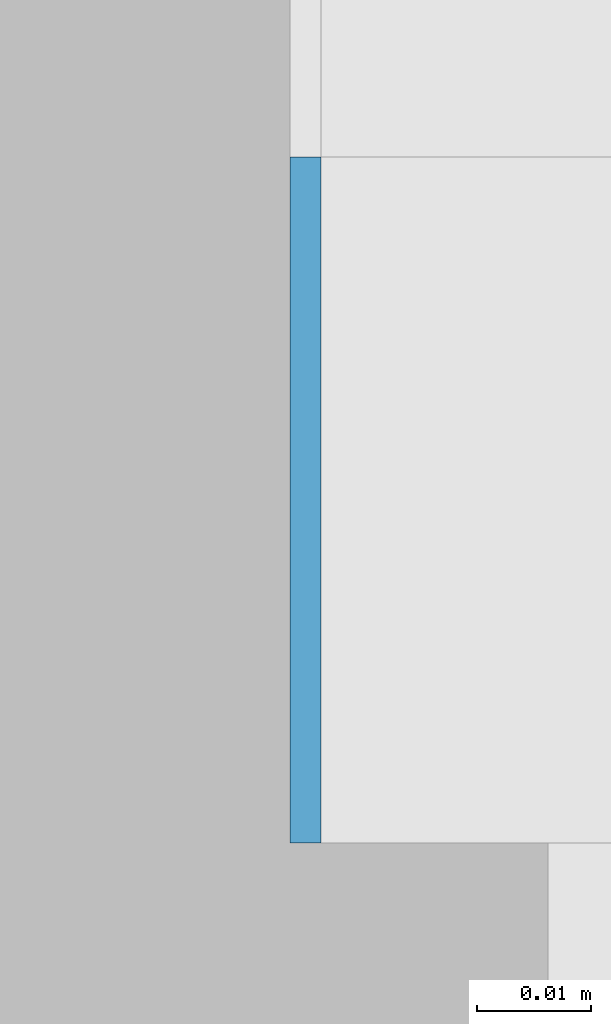
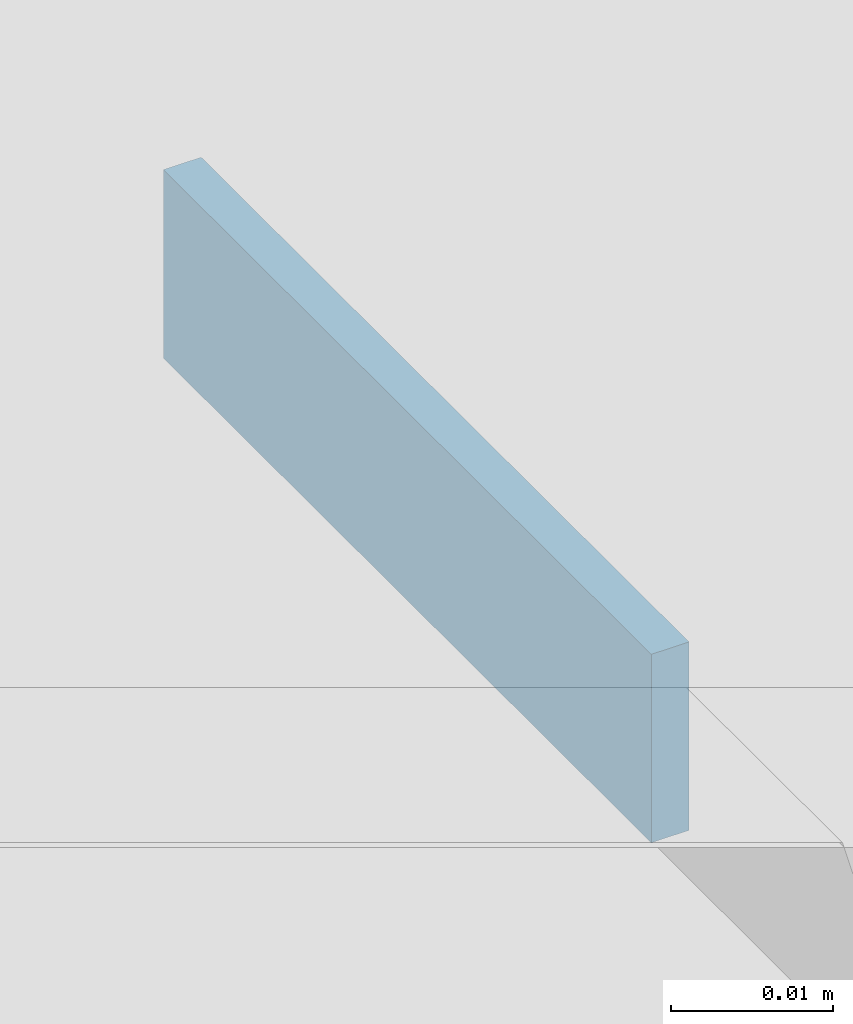
# One storey, part 443 of 646: 1 discrete accessory.
"""IFC4 building model written with IfcOpenShell, lengths in metres."""

from ifc_helpers import new_model, si_unit, direction, frame, origin, origin_2d, place, context, subcontext, project, spatial, rectangle, extrude, material, type_object, element, save


model = new_model("IFC4")

# Units and contexts
model_context = context("Model", 3, precision=1e-05, world=origin(), true_north=direction((0.0, 1.0)))
body_context = subcontext(model_context, "Body", "Model", "MODEL_VIEW")
ifc_project = project(units=[si_unit("LENGTHUNIT", "METRE"), si_unit("AREAUNIT", "SQUARE_METRE"), si_unit("VOLUMEUNIT", "CUBIC_METRE"), si_unit("PLANEANGLEUNIT", "RADIAN"), si_unit("MASSUNIT", "GRAM", prefix="KILO")], contexts=[model_context])

# Site, building, storey
site_placement = place(None, origin())
site = spatial("IfcSite", under=ifc_project, at=site_placement, CompositionType="ELEMENT")
building_placement = place(site_placement, origin())
building = spatial("IfcBuilding", under=site, at=building_placement, Name="Silverbay Arena", CompositionType="ELEMENT")
storey_placement = place(building_placement, frame((0.0, 0.0, 33.5)))
storey = spatial("IfcBuildingStorey", under=building, at=storey_placement, Name="L05", CompositionType="ELEMENT", Elevation=33.5)

# Discrete accessory
ifc_material = material(Name="Steel S355", Category="steel")
discrete_accessory_type = type_object("IfcDiscreteAccessoryType", Name="Steel bracket plate", PredefinedType="BRACKET", material=ifc_material)
discrete_accessory_placement = place(storey_placement, frame((207.128662109375, 35.969970703125, 12.98583984375), z_axis=(0.0, 0.0, 1.0), x_axis=(1.0, 0.0, 0.0)))
element("IfcDiscreteAccessory", 1, at=discrete_accessory_placement, inside=storey, type_object=discrete_accessory_type, Name="Curtain wall packing plate", PredefinedType="BRACKET", context=body_context, shape_type="SweptSolid", body=[
    extrude(rectangle(XDim=0.002685546875, YDim=0.06005859375, at=origin_2d()), origin(), (0.0, 0.0, 1.0), 0.01416015625),
])

save(model, "model.ifc")
